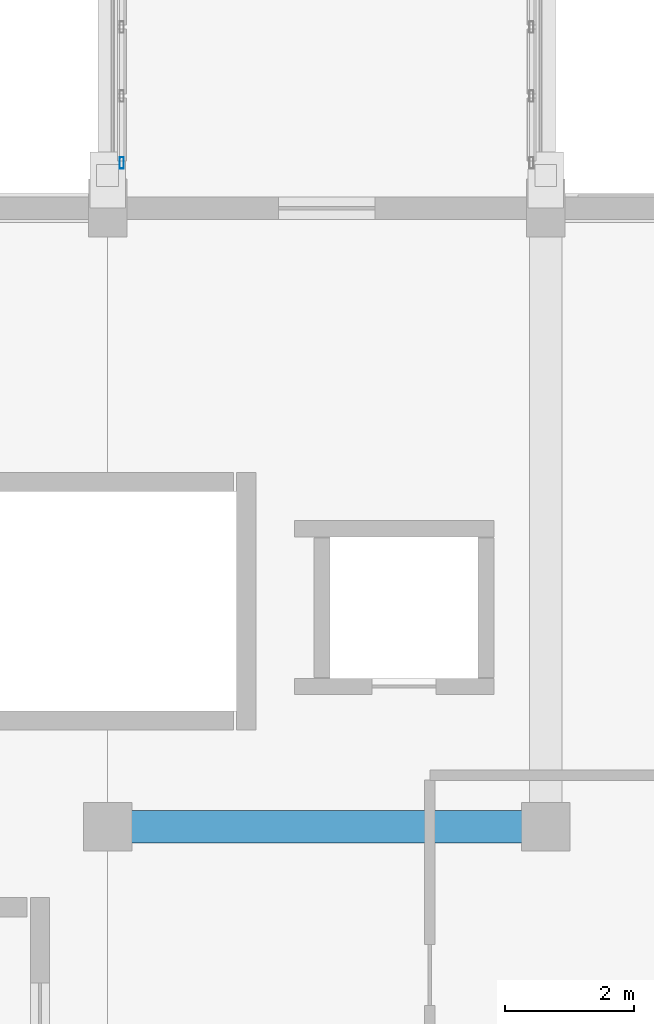
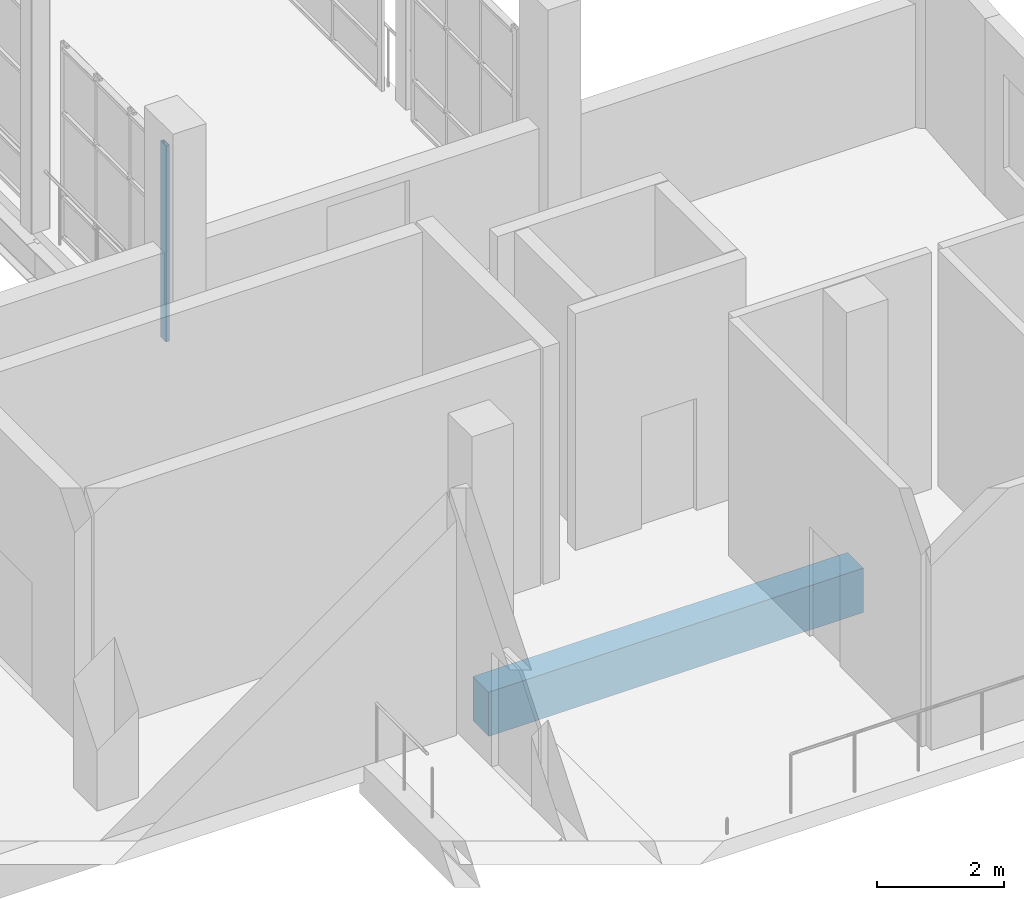
# One storey, part 14 of 106: 1 beam, 1 member, 1 element without a shape of its own.
"""IFC4 building model written with IfcOpenShell, lengths in metres."""

from ifc_helpers import new_model, si_unit, direction, frame, origin, origin_2d, place, context, subcontext, project, spatial, rectangle, hollow_rectangle, extrude, material, layer, layer_set, material_profile, profile_set, type_object, element, aggregate, save


model = new_model("IFC4")

# Units and contexts
model_context = context("Model", 3, precision=1e-05, world=origin(), true_north=direction((0.0, 1.0)))
body_context = subcontext(model_context, "Body", "Model", "MODEL_VIEW")
ifc_project = project(units=[si_unit("LENGTHUNIT", "METRE"), si_unit("AREAUNIT", "SQUARE_METRE"), si_unit("VOLUMEUNIT", "CUBIC_METRE"), si_unit("PLANEANGLEUNIT", "RADIAN"), si_unit("MASSUNIT", "GRAM", prefix="KILO")], contexts=[model_context])

# Site, building, storey
site_placement = place(None, origin())
site = spatial("IfcSite", under=ifc_project, at=site_placement, CompositionType="ELEMENT")
building_placement = place(site_placement, origin())
building = spatial("IfcBuilding", under=site, at=building_placement, Name="Kisaragi Civic Commons", CompositionType="ELEMENT")
storey_placement = place(building_placement, frame((0.0, 0.0, 4.800048828125)))
storey = spatial("IfcBuildingStorey", under=building, at=storey_placement, Name="L01", CompositionType="ELEMENT", Elevation=4.800048828125)

# Curtain wall, member
ifc_material_1 = material(Name="Thermally broken anodized aluminium and low-E double glazing", Category="aluminium")
ifc_layer = layer(ifc_material_1, 0.179931640625, Name="Thermally broken anodized aluminium and low-E double glazing", Category="aluminium")
ifc_layer_set = layer_set([ifc_layer], Name="Thermally broken anodized aluminium and low-E double glazing")
curtain_wall_type = type_object("IfcCurtainWallType", Name="CW-04", PredefinedType="NOTDEFINED", material=ifc_layer_set)
curtain_wall_placement = place(storey_placement, origin())
curtain_wall = element("IfcCurtainWall", 1, at=curtain_wall_placement, inside=storey, type_object=curtain_wall_type, Name="L01 curtain wall CW-04 CW-BR-125", PredefinedType="NOTDEFINED")
ifc_material_profile_1 = material_profile(ifc_material_1, hollow_rectangle(XDim=0.06494140625, YDim=0.179931640625, WallThickness=0.00439453125, InnerFilletRadius=0.00439453125, OuterFilletRadius=0.009033203125, at=origin_2d()), Name="CWM-65x180x4.5", Category="aluminium")
ifc_profile_set_1 = profile_set([ifc_material_profile_1], Name="Thermally broken anodized aluminium and low-E double glazing")
member_type = type_object("IfcMemberType", Name="CWM-02", PredefinedType="MULLION", material=ifc_profile_set_1)
member_placement = place(storey_placement, frame((13.820068359375, 63.1025390625, 0.0), z_axis=(0.0, 0.0, 1.0), x_axis=(-1.0, 0.0, 0.0)))
member = element("IfcMember", 2, at=member_placement, type_object=member_type, Name="CW-04 mullion 1", PredefinedType="MULLION", context=body_context, shape_type="SweptSolid", body=[
    extrude(hollow_rectangle(XDim=0.06494140625, YDim=0.179931640625, WallThickness=0.00439453125, InnerFilletRadius=0.00439453125, OuterFilletRadius=0.009033203125, at=origin_2d()), origin(), (0.0, 0.0, 1.0), 3.760009765625),
])
aggregate(curtain_wall, [member])

# Beam
ifc_material_2 = material(Name="Concrete Fc30", Category="concrete")
ifc_material_profile_2 = material_profile(ifc_material_2, rectangle(XDim=0.5, YDim=0.85009765625, at=origin_2d()), Name="RC-500x850", Category="concrete")
ifc_profile_set_2 = profile_set([ifc_material_profile_2], Name="Concrete Fc30")
beam_type = type_object("IfcBeamType", Name="G-02", PredefinedType="BEAM", material=ifc_profile_set_2)
beam_placement = place(storey_placement, frame((13.60009765625, 52.800048828125, -0.72998046875), z_axis=(1.0, 0.0, 0.0), x_axis=(0.0, 1.0, 0.0)))
element("IfcBeam", 3, at=beam_placement, inside=storey, type_object=beam_type, Name="L01 girder G-02 139", PredefinedType="BEAM", context=body_context, shape_type="SweptSolid", body=[
    extrude(rectangle(XDim=0.5, YDim=0.85009765625, at=origin_2d()), origin(), (0.0, 0.0, 1.0), 6.7998046875),
])

save(model, "model.ifc")
